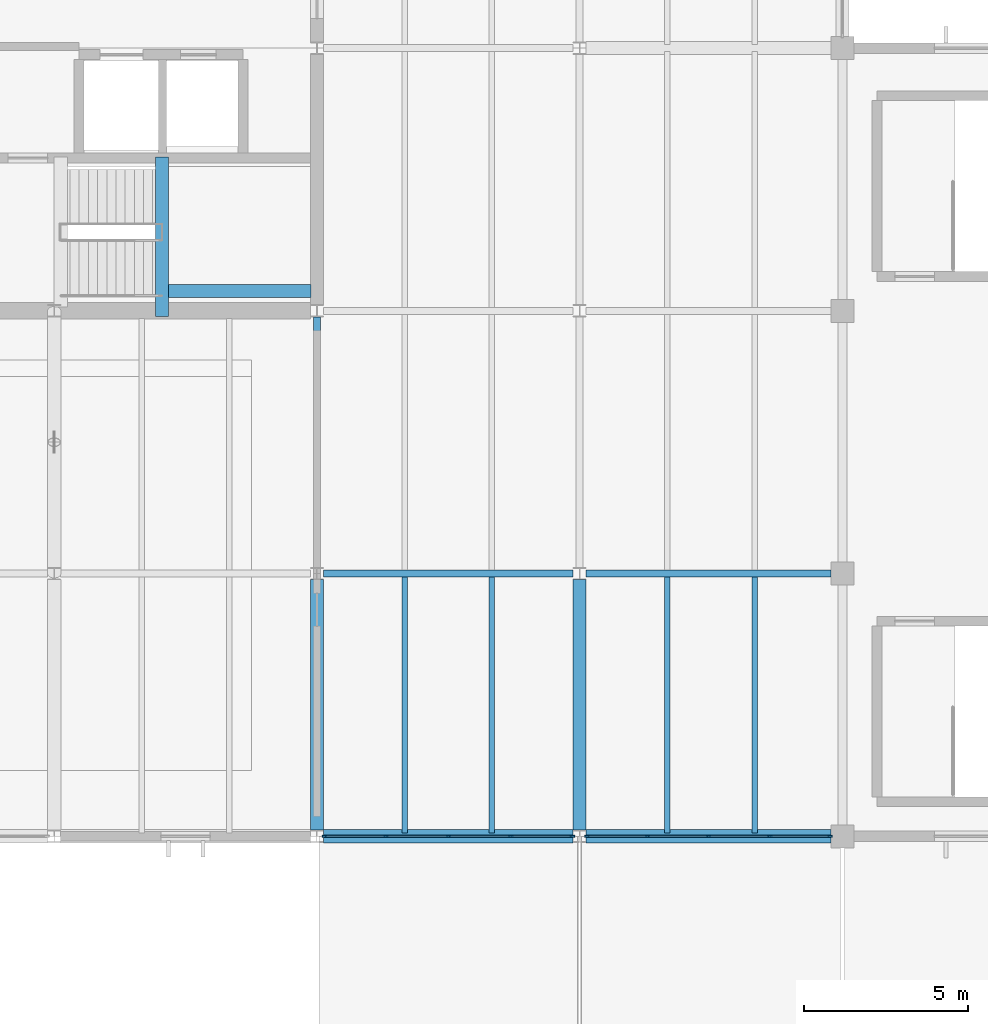
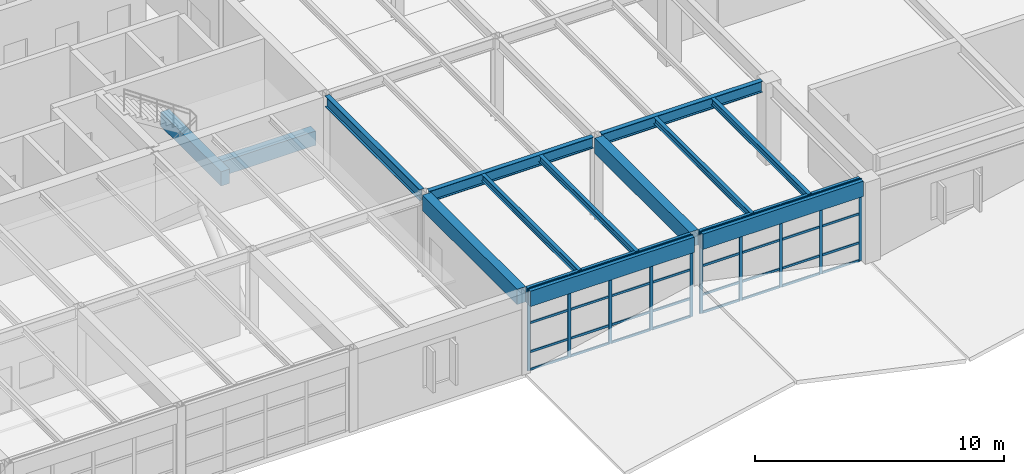
# One storey, part 10 of 48: 42 members, 13 beams, 2 elements without a shape of their own.
"""IFC4 building model written with IfcOpenShell, lengths in metres."""

from ifc_helpers import new_model, si_unit, direction, frame, origin, origin_2d, place, context, subcontext, project, spatial, rectangle, i_section, extrude, material, layer, layer_set, material_profile, profile_set, type_object, element, aggregate, save


model = new_model("IFC4")

# Units and contexts
model_context = context("Model", 3, precision=1e-05, world=origin(), true_north=direction((0.0, 1.0)))
body_context = subcontext(model_context, "Body", "Model", "MODEL_VIEW")
ifc_project = project(units=[si_unit("LENGTHUNIT", "METRE"), si_unit("AREAUNIT", "SQUARE_METRE"), si_unit("VOLUMEUNIT", "CUBIC_METRE"), si_unit("PLANEANGLEUNIT", "RADIAN"), si_unit("MASSUNIT", "GRAM", prefix="KILO")], contexts=[model_context])

# Site, building, storey
site_placement = place(None, origin())
site = spatial("IfcSite", under=ifc_project, at=site_placement, CompositionType="ELEMENT")
building_placement = place(site_placement, origin())
building = spatial("IfcBuilding", under=site, at=building_placement, Name="Varnela Railside Interchange", CompositionType="ELEMENT")
storey_placement = place(building_placement, frame((0.0, 0.0, 11.199951171875)))
storey = spatial("IfcBuildingStorey", under=building, at=storey_placement, Name="L02", CompositionType="ELEMENT", Elevation=11.199951171875)

# Beams
ifc_material_1 = material(Name="Steel AR 350 (350 MPa)", Category="steel")
ifc_material_profile_1 = material_profile(ifc_material_1, i_section(OverallWidth=0.2109375, OverallDepth=0.5390625, WebThickness=0.01171875, FlangeThickness=0.018798828125, at=origin_2d()), Name="W530x109")
ifc_profile_set_1 = profile_set([ifc_material_profile_1], Name="Steel AR 350 (350 MPa)")
beam_type_1 = type_object("IfcBeamType", Name="Composite Girder B-17", PredefinedType="BEAM", material=ifc_profile_set_1)
beam_1_placement = place(storey_placement, frame((36.0, 46.1875, 3.73046875), z_axis=(0.0, 1.0, 0.0), x_axis=(-1.0, 0.0, 0.0)))
element("IfcBeam", 1, at=beam_1_placement, inside=storey, type_object=beam_type_1, Name="Composite Girder B-17 (L02) (BM-2079)", PredefinedType="BEAM", context=body_context, shape_type="SweptSolid", body=[
    extrude(i_section(OverallWidth=0.2109375, OverallDepth=0.5390625, WebThickness=0.01171875, FlangeThickness=0.018798828125, at=origin_2d()), origin(), (0.0, 0.0, 1.0), 7.618896484375),
])
ifc_material_profile_2 = material_profile(ifc_material_1, i_section(OverallWidth=0.2119140625, OverallDepth=0.5439453125, WebThickness=0.01318359375, FlangeThickness=0.021240234375, at=origin_2d()), Name="W530x123")
ifc_profile_set_2 = profile_set([ifc_material_profile_2], Name="Steel AR 350 (350 MPa)")
beam_type_2 = type_object("IfcBeamType", Name="Composite Heavy Girder B-16", PredefinedType="BEAM", material=ifc_profile_set_2)
beam_2_placement = place(storey_placement, frame((36.197021484375, 46.0, 3.72802734375), z_axis=(1.0, 0.0, 0.0), x_axis=(0.0, 1.0, 0.0)))
element("IfcBeam", 2, at=beam_2_placement, inside=storey, type_object=beam_type_2, Name="Composite Heavy Girder B-16 (L02) (BM-1961)", PredefinedType="BEAM", context=body_context, shape_type="SweptSolid", body=[
    extrude(i_section(OverallWidth=0.2119140625, OverallDepth=0.5439453125, WebThickness=0.01318359375, FlangeThickness=0.021240234375, at=origin_2d()), origin(), (0.0, 0.0, 1.0), 7.60595703125),
])
beam_3_placement = place(storey_placement, frame((44.197021484375, 46.0, 3.72802734375), z_axis=(1.0, 0.0, 0.0), x_axis=(0.0, 1.0, 0.0)))
element("IfcBeam", 3, at=beam_3_placement, inside=storey, type_object=beam_type_2, Name="Composite Heavy Girder B-16 (L02) (BM-1962)", PredefinedType="BEAM", context=body_context, shape_type="SweptSolid", body=[
    extrude(i_section(OverallWidth=0.2119140625, OverallDepth=0.5439453125, WebThickness=0.01318359375, FlangeThickness=0.021240234375, at=origin_2d()), origin(), (0.0, 0.0, 1.0), 7.452880859375),
])
ifc_material_profile_3 = material_profile(ifc_material_1, i_section(OverallWidth=0.1669921875, OverallDepth=0.31689453125, WebThickness=0.007568359375, FlangeThickness=0.01318359375, at=origin_2d()), Name="W310x52")
ifc_profile_set_3 = profile_set([ifc_material_profile_3], Name="Steel AR 350 (350 MPa)")
beam_type_3 = type_object("IfcBeamType", Name="Composite Long-Span Joist J-03", PredefinedType="JOIST", material=ifc_profile_set_3)
for number, where, z_axis, x_axis, name in (
    (4, (38.669921875, 38.10595703125, 3.841552734375), (0.0, 1.0, 0.0), (-1.0, 0.0, 0.0), "Composite Long-Span Joist J-03 (L02) (BM-1908)"),
    (5, (41.330078125, 38.10595703125, 3.841552734375), (0.0, 1.0, 0.0), (-1.0, 0.0, 0.0), "Composite Long-Span Joist J-03 (L02) (BM-1909)"),
    (6, (46.669921875, 38.10595703125, 3.841552734375), (0.0, 1.0, 0.0), (-1.0, 0.0, 0.0), "Composite Long-Span Joist J-03 (L02) (BM-1921)"),
    (7, (49.330078125, 38.10595703125, 3.841552734375), (0.0, 1.0, 0.0), (-1.0, 0.0, 0.0), "Composite Long-Span Joist J-03 (L02) (BM-1922)"),
):
    element("IfcBeam", number, at=place(storey_placement, frame(where, z_axis=z_axis, x_axis=x_axis)), inside=storey, type_object=beam_type_3, Name=name, PredefinedType="JOIST", context=body_context, shape_type="SweptSolid", body=[
        extrude(i_section(OverallWidth=0.1669921875, OverallDepth=0.31689453125, WebThickness=0.007568359375, FlangeThickness=0.01318359375, at=origin_2d()), origin(), (0.0, 0.0, 1.0), 7.7880859375),
    ])
ifc_material_2 = material(Name="Concrete C40", Category="concrete")
ifc_material_profile_4 = material_profile(ifc_material_2, rectangle(XDim=0.39990234375, YDim=0.699951171875, at=origin_2d()), Name="RC 400x700")
ifc_profile_set_4 = profile_set([ifc_material_profile_4], Name="Concrete C40")
beam_type_4 = type_object("IfcBeamType", Name="Concrete Tie Beam B-01", PredefinedType="BEAM", material=ifc_profile_set_4)
beam_4_placement = place(storey_placement, frame((31.280029296875, 53.820068359375, 1.590087890625), z_axis=(0.0, 1.0, 0.0), x_axis=(-1.0, 0.0, 0.0)))
element("IfcBeam", 8, at=beam_4_placement, inside=storey, type_object=beam_type_4, Name="Concrete Tie Beam B-01 (L02) (BM-2109)", PredefinedType="BEAM", context=body_context, shape_type="SweptSolid", body=[
    extrude(rectangle(XDim=0.39990234375, YDim=0.699951171875, at=origin_2d()), origin(), (0.0, 0.0, 1.0), 4.85986328125),
])
beam_5_placement = place(storey_placement, frame((31.47998046875, 54.60009765625, 1.590087890625), z_axis=(1.0, 0.0, 0.0), x_axis=(0.0, 1.0, 0.0)))
element("IfcBeam", 9, at=beam_5_placement, inside=storey, type_object=beam_type_4, Name="Concrete Tie Beam B-01 (L02) (BM-2103)", PredefinedType="BEAM", context=body_context, shape_type="SweptSolid", body=[
    extrude(rectangle(XDim=0.39990234375, YDim=0.699951171875, at=origin_2d()), origin(), (0.0, 0.0, 1.0), 4.340087890625),
])

# Curtain wall, members
ifc_material_3 = material(Name="Aluminium 6063-T6", Category="aluminium")
ifc_layer = layer(ifc_material_3, 0.035888671875)
ifc_layer_set = layer_set([ifc_layer], Name="Aluminium 6063-T6")
curtain_wall_type = type_object("IfcCurtainWallType", Name="Operations Wing Facade Curtain Wall CW-03", PredefinedType="USERDEFINED", material=ifc_layer_set)
curtain_wall_1_placement = place(storey_placement, origin())
curtain_wall_1 = element("IfcCurtainWall", 10, at=curtain_wall_1_placement, inside=storey, type_object=curtain_wall_type, Name="Curtain Wall CW-03 (L02) (CW-068)", ObjectType="CURTAIN WALL", PredefinedType="USERDEFINED")
ifc_material_profile_5 = material_profile(ifc_material_3, rectangle(XDim=0.06005859375, YDim=0.139892578125, at=origin_2d()), Name="ALU 60x140")
ifc_profile_set_5 = profile_set([ifc_material_profile_5], Name="Aluminium 6063-T6")
member_type_1 = type_object("IfcMemberType", Name="Curtain Wall Mullion ML-01", PredefinedType="MULLION", material=ifc_profile_set_5)
member_1_placement = place(storey_placement, frame((51.6201171875, 38.0, 0.0), z_axis=(0.0, 0.0, 1.0), x_axis=(0.0, -1.0, 0.0)))
member_1 = element("IfcMember", 11, at=member_1_placement, type_object=member_type_1, Name="CW-03 mullion 1", PredefinedType="MULLION", context=body_context, shape_type="SweptSolid", body=[
    extrude(rectangle(XDim=0.06005859375, YDim=0.139892578125, at=origin_2d()), origin(), (0.0, 0.0, 1.0), 4.0),
])
member_2_placement = place(storey_placement, frame((49.786865234375, 38.0, 0.0), z_axis=(0.0, 0.0, 1.0), x_axis=(0.0, -1.0, 0.0)))
member_2 = element("IfcMember", 12, at=member_2_placement, type_object=member_type_1, Name="CW-03 mullion 2", PredefinedType="MULLION", context=body_context, shape_type="SweptSolid", body=[
    extrude(rectangle(XDim=0.06005859375, YDim=0.139892578125, at=origin_2d()), origin(), (0.0, 0.0, 1.0), 4.0),
])
member_3_placement = place(storey_placement, frame((47.923583984375, 38.0, 0.0), z_axis=(0.0, 0.0, 1.0), x_axis=(0.0, -1.0, 0.0)))
member_3 = element("IfcMember", 13, at=member_3_placement, type_object=member_type_1, Name="CW-03 mullion 3", PredefinedType="MULLION", context=body_context, shape_type="SweptSolid", body=[
    extrude(rectangle(XDim=0.06005859375, YDim=0.139892578125, at=origin_2d()), origin(), (0.0, 0.0, 1.0), 4.0),
])
member_4_placement = place(storey_placement, frame((46.060302734375, 38.0, 0.0), z_axis=(0.0, 0.0, 1.0), x_axis=(0.0, -1.0, 0.0)))
member_4 = element("IfcMember", 14, at=member_4_placement, type_object=member_type_1, Name="CW-03 mullion 4", PredefinedType="MULLION", context=body_context, shape_type="SweptSolid", body=[
    extrude(rectangle(XDim=0.06005859375, YDim=0.139892578125, at=origin_2d()), origin(), (0.0, 0.0, 1.0), 4.0),
])
member_5_placement = place(storey_placement, frame((44.22705078125, 38.0, 0.0), z_axis=(0.0, 0.0, 1.0), x_axis=(0.0, -1.0, 0.0)))
member_5 = element("IfcMember", 15, at=member_5_placement, type_object=member_type_1, Name="CW-03 mullion 5", PredefinedType="MULLION", context=body_context, shape_type="SweptSolid", body=[
    extrude(rectangle(XDim=0.06005859375, YDim=0.139892578125, at=origin_2d()), origin(), (0.0, 0.0, 1.0), 4.0),
])

curtain_wall_2_placement = place(storey_placement, origin())
curtain_wall_2 = element("IfcCurtainWall", 16, at=curtain_wall_2_placement, inside=storey, type_object=curtain_wall_type, Name="Curtain Wall CW-03 (L02) (CW-069)", ObjectType="CURTAIN WALL", PredefinedType="USERDEFINED")
member_6_placement = place(storey_placement, frame((43.77294921875, 38.0, 0.0), z_axis=(0.0, 0.0, 1.0), x_axis=(0.0, -1.0, 0.0)))
member_6 = element("IfcMember", 17, at=member_6_placement, type_object=member_type_1, Name="CW-03 mullion 1", PredefinedType="MULLION", context=body_context, shape_type="SweptSolid", body=[
    extrude(rectangle(XDim=0.06005859375, YDim=0.139892578125, at=origin_2d()), origin(), (0.0, 0.0, 1.0), 4.0),
])
member_7_placement = place(storey_placement, frame((41.901611328125, 38.0, 0.0), z_axis=(0.0, 0.0, 1.0), x_axis=(0.0, -1.0, 0.0)))
member_7 = element("IfcMember", 18, at=member_7_placement, type_object=member_type_1, Name="CW-03 mullion 2", PredefinedType="MULLION", context=body_context, shape_type="SweptSolid", body=[
    extrude(rectangle(XDim=0.06005859375, YDim=0.139892578125, at=origin_2d()), origin(), (0.0, 0.0, 1.0), 4.0),
])
member_8_placement = place(storey_placement, frame((40.0, 38.0, 0.0), z_axis=(0.0, 0.0, 1.0), x_axis=(0.0, -1.0, 0.0)))
member_8 = element("IfcMember", 19, at=member_8_placement, type_object=member_type_1, Name="CW-03 mullion 3", PredefinedType="MULLION", context=body_context, shape_type="SweptSolid", body=[
    extrude(rectangle(XDim=0.06005859375, YDim=0.139892578125, at=origin_2d()), origin(), (0.0, 0.0, 1.0), 4.0),
])
member_9_placement = place(storey_placement, frame((38.098388671875, 38.0, 0.0), z_axis=(0.0, 0.0, 1.0), x_axis=(0.0, -1.0, 0.0)))
member_9 = element("IfcMember", 20, at=member_9_placement, type_object=member_type_1, Name="CW-03 mullion 4", PredefinedType="MULLION", context=body_context, shape_type="SweptSolid", body=[
    extrude(rectangle(XDim=0.06005859375, YDim=0.139892578125, at=origin_2d()), origin(), (0.0, 0.0, 1.0), 4.0),
])
member_10_placement = place(storey_placement, frame((36.22705078125, 38.0, 0.0), z_axis=(0.0, 0.0, 1.0), x_axis=(0.0, -1.0, 0.0)))
member_10 = element("IfcMember", 21, at=member_10_placement, type_object=member_type_1, Name="CW-03 mullion 5", PredefinedType="MULLION", context=body_context, shape_type="SweptSolid", body=[
    extrude(rectangle(XDim=0.06005859375, YDim=0.139892578125, at=origin_2d()), origin(), (0.0, 0.0, 1.0), 4.0),
])

# Member
ifc_material_profile_6 = material_profile(ifc_material_3, rectangle(XDim=0.06005859375, YDim=0.110107421875, at=origin_2d()), Name="ALU 60x110")
ifc_profile_set_6 = profile_set([ifc_material_profile_6], Name="Aluminium 6063-T6")
member_type_2 = type_object("IfcMemberType", Name="Curtain Wall Transom TR-01", PredefinedType="USERDEFINED", material=ifc_profile_set_6)
member_11_placement = place(storey_placement, frame((51.590087890625, 38.0, 0.030029296875), z_axis=(-1.0, 0.0, 0.0), x_axis=(0.0, -1.0, 0.0)))
member_11 = element("IfcMember", 22, at=member_11_placement, type_object=member_type_2, Name="CW-03 transom 1.1", ObjectType="TRANSOM", PredefinedType="USERDEFINED", context=body_context, shape_type="SweptSolid", body=[
    extrude(rectangle(XDim=0.06005859375, YDim=0.110107421875, at=origin_2d()), origin(), (0.0, 0.0, 1.0), 1.7734375),
])

member_12_placement = place(storey_placement, frame((51.590087890625, 38.0, 0.900146484375), z_axis=(-1.0, 0.0, 0.0), x_axis=(0.0, -1.0, 0.0)))
member_12 = element("IfcMember", 23, at=member_12_placement, type_object=member_type_2, Name="CW-03 transom 1.2", ObjectType="TRANSOM", PredefinedType="USERDEFINED", context=body_context, shape_type="SweptSolid", body=[
    extrude(rectangle(XDim=0.06005859375, YDim=0.110107421875, at=origin_2d()), origin(), (0.0, 0.0, 1.0), 1.7734375),
])

member_13_placement = place(storey_placement, frame((51.590087890625, 38.0, 2.320068359375), z_axis=(-1.0, 0.0, 0.0), x_axis=(0.0, -1.0, 0.0)))
member_13 = element("IfcMember", 24, at=member_13_placement, type_object=member_type_2, Name="CW-03 transom 1.3", ObjectType="TRANSOM", PredefinedType="USERDEFINED", context=body_context, shape_type="SweptSolid", body=[
    extrude(rectangle(XDim=0.06005859375, YDim=0.110107421875, at=origin_2d()), origin(), (0.0, 0.0, 1.0), 1.7734375),
])

member_14_placement = place(storey_placement, frame((51.590087890625, 38.0, 3.969970703125), z_axis=(-1.0, 0.0, 0.0), x_axis=(0.0, -1.0, 0.0)))
member_14 = element("IfcMember", 25, at=member_14_placement, type_object=member_type_2, Name="CW-03 transom 1.4", ObjectType="TRANSOM", PredefinedType="USERDEFINED", context=body_context, shape_type="SweptSolid", body=[
    extrude(rectangle(XDim=0.06005859375, YDim=0.110107421875, at=origin_2d()), origin(), (0.0, 0.0, 1.0), 1.7734375),
])

member_15_placement = place(storey_placement, frame((49.7568359375, 38.0, 0.030029296875), z_axis=(-1.0, 0.0, 0.0), x_axis=(0.0, -1.0, 0.0)))
member_15 = element("IfcMember", 26, at=member_15_placement, type_object=member_type_2, Name="CW-03 transom 2.1", ObjectType="TRANSOM", PredefinedType="USERDEFINED", context=body_context, shape_type="SweptSolid", body=[
    extrude(rectangle(XDim=0.06005859375, YDim=0.110107421875, at=origin_2d()), origin(), (0.0, 0.0, 1.0), 1.80322265625),
])

member_16_placement = place(storey_placement, frame((49.7568359375, 38.0, 0.900146484375), z_axis=(-1.0, 0.0, 0.0), x_axis=(0.0, -1.0, 0.0)))
member_16 = element("IfcMember", 27, at=member_16_placement, type_object=member_type_2, Name="CW-03 transom 2.2", ObjectType="TRANSOM", PredefinedType="USERDEFINED", context=body_context, shape_type="SweptSolid", body=[
    extrude(rectangle(XDim=0.06005859375, YDim=0.110107421875, at=origin_2d()), origin(), (0.0, 0.0, 1.0), 1.80322265625),
])

member_17_placement = place(storey_placement, frame((49.7568359375, 38.0, 2.320068359375), z_axis=(-1.0, 0.0, 0.0), x_axis=(0.0, -1.0, 0.0)))
member_17 = element("IfcMember", 28, at=member_17_placement, type_object=member_type_2, Name="CW-03 transom 2.3", ObjectType="TRANSOM", PredefinedType="USERDEFINED", context=body_context, shape_type="SweptSolid", body=[
    extrude(rectangle(XDim=0.06005859375, YDim=0.110107421875, at=origin_2d()), origin(), (0.0, 0.0, 1.0), 1.80322265625),
])

member_18_placement = place(storey_placement, frame((49.7568359375, 38.0, 3.969970703125), z_axis=(-1.0, 0.0, 0.0), x_axis=(0.0, -1.0, 0.0)))
member_18 = element("IfcMember", 29, at=member_18_placement, type_object=member_type_2, Name="CW-03 transom 2.4", ObjectType="TRANSOM", PredefinedType="USERDEFINED", context=body_context, shape_type="SweptSolid", body=[
    extrude(rectangle(XDim=0.06005859375, YDim=0.110107421875, at=origin_2d()), origin(), (0.0, 0.0, 1.0), 1.80322265625),
])

member_19_placement = place(storey_placement, frame((47.8935546875, 38.0, 0.030029296875), z_axis=(-1.0, 0.0, 0.0), x_axis=(0.0, -1.0, 0.0)))
member_19 = element("IfcMember", 30, at=member_19_placement, type_object=member_type_2, Name="CW-03 transom 3.1", ObjectType="TRANSOM", PredefinedType="USERDEFINED", context=body_context, shape_type="SweptSolid", body=[
    extrude(rectangle(XDim=0.06005859375, YDim=0.110107421875, at=origin_2d()), origin(), (0.0, 0.0, 1.0), 1.80322265625),
])

member_20_placement = place(storey_placement, frame((47.8935546875, 38.0, 0.900146484375), z_axis=(-1.0, 0.0, 0.0), x_axis=(0.0, -1.0, 0.0)))
member_20 = element("IfcMember", 31, at=member_20_placement, type_object=member_type_2, Name="CW-03 transom 3.2", ObjectType="TRANSOM", PredefinedType="USERDEFINED", context=body_context, shape_type="SweptSolid", body=[
    extrude(rectangle(XDim=0.06005859375, YDim=0.110107421875, at=origin_2d()), origin(), (0.0, 0.0, 1.0), 1.80322265625),
])

member_21_placement = place(storey_placement, frame((47.8935546875, 38.0, 2.320068359375), z_axis=(-1.0, 0.0, 0.0), x_axis=(0.0, -1.0, 0.0)))
member_21 = element("IfcMember", 32, at=member_21_placement, type_object=member_type_2, Name="CW-03 transom 3.3", ObjectType="TRANSOM", PredefinedType="USERDEFINED", context=body_context, shape_type="SweptSolid", body=[
    extrude(rectangle(XDim=0.06005859375, YDim=0.110107421875, at=origin_2d()), origin(), (0.0, 0.0, 1.0), 1.80322265625),
])

member_22_placement = place(storey_placement, frame((47.8935546875, 38.0, 3.969970703125), z_axis=(-1.0, 0.0, 0.0), x_axis=(0.0, -1.0, 0.0)))
member_22 = element("IfcMember", 33, at=member_22_placement, type_object=member_type_2, Name="CW-03 transom 3.4", ObjectType="TRANSOM", PredefinedType="USERDEFINED", context=body_context, shape_type="SweptSolid", body=[
    extrude(rectangle(XDim=0.06005859375, YDim=0.110107421875, at=origin_2d()), origin(), (0.0, 0.0, 1.0), 1.80322265625),
])

member_23_placement = place(storey_placement, frame((46.0302734375, 38.0, 0.030029296875), z_axis=(-1.0, 0.0, 0.0), x_axis=(0.0, -1.0, 0.0)))
member_23 = element("IfcMember", 34, at=member_23_placement, type_object=member_type_2, Name="CW-03 transom 4.1", ObjectType="TRANSOM", PredefinedType="USERDEFINED", context=body_context, shape_type="SweptSolid", body=[
    extrude(rectangle(XDim=0.06005859375, YDim=0.110107421875, at=origin_2d()), origin(), (0.0, 0.0, 1.0), 1.773193359375),
])

member_24_placement = place(storey_placement, frame((46.0302734375, 38.0, 0.900146484375), z_axis=(-1.0, 0.0, 0.0), x_axis=(0.0, -1.0, 0.0)))
member_24 = element("IfcMember", 35, at=member_24_placement, type_object=member_type_2, Name="CW-03 transom 4.2", ObjectType="TRANSOM", PredefinedType="USERDEFINED", context=body_context, shape_type="SweptSolid", body=[
    extrude(rectangle(XDim=0.06005859375, YDim=0.110107421875, at=origin_2d()), origin(), (0.0, 0.0, 1.0), 1.773193359375),
])

member_25_placement = place(storey_placement, frame((46.0302734375, 38.0, 2.320068359375), z_axis=(-1.0, 0.0, 0.0), x_axis=(0.0, -1.0, 0.0)))
member_25 = element("IfcMember", 36, at=member_25_placement, type_object=member_type_2, Name="CW-03 transom 4.3", ObjectType="TRANSOM", PredefinedType="USERDEFINED", context=body_context, shape_type="SweptSolid", body=[
    extrude(rectangle(XDim=0.06005859375, YDim=0.110107421875, at=origin_2d()), origin(), (0.0, 0.0, 1.0), 1.773193359375),
])

member_26_placement = place(storey_placement, frame((46.0302734375, 38.0, 3.969970703125), z_axis=(-1.0, 0.0, 0.0), x_axis=(0.0, -1.0, 0.0)))
member_26 = element("IfcMember", 37, at=member_26_placement, type_object=member_type_2, Name="CW-03 transom 4.4", ObjectType="TRANSOM", PredefinedType="USERDEFINED", context=body_context, shape_type="SweptSolid", body=[
    extrude(rectangle(XDim=0.06005859375, YDim=0.110107421875, at=origin_2d()), origin(), (0.0, 0.0, 1.0), 1.773193359375),
])

aggregate(curtain_wall_1, [member_1, member_2, member_3, member_4, member_5, member_11, member_12, member_13, member_14, member_15, member_16, member_17, member_18, member_19, member_20, member_21, member_22, member_23, member_24, member_25, member_26])

member_27_placement = place(storey_placement, frame((43.742919921875, 38.0, 0.030029296875), z_axis=(-1.0, 0.0, 0.0), x_axis=(0.0, -1.0, 0.0)))
member_27 = element("IfcMember", 38, at=member_27_placement, type_object=member_type_2, Name="CW-03 transom 1.1", ObjectType="TRANSOM", PredefinedType="USERDEFINED", context=body_context, shape_type="SweptSolid", body=[
    extrude(rectangle(XDim=0.06005859375, YDim=0.110107421875, at=origin_2d()), origin(), (0.0, 0.0, 1.0), 1.8115234375),
])

member_28_placement = place(storey_placement, frame((43.742919921875, 38.0, 0.900146484375), z_axis=(-1.0, 0.0, 0.0), x_axis=(0.0, -1.0, 0.0)))
member_28 = element("IfcMember", 39, at=member_28_placement, type_object=member_type_2, Name="CW-03 transom 1.2", ObjectType="TRANSOM", PredefinedType="USERDEFINED", context=body_context, shape_type="SweptSolid", body=[
    extrude(rectangle(XDim=0.06005859375, YDim=0.110107421875, at=origin_2d()), origin(), (0.0, 0.0, 1.0), 1.8115234375),
])

member_29_placement = place(storey_placement, frame((43.742919921875, 38.0, 2.320068359375), z_axis=(-1.0, 0.0, 0.0), x_axis=(0.0, -1.0, 0.0)))
member_29 = element("IfcMember", 40, at=member_29_placement, type_object=member_type_2, Name="CW-03 transom 1.3", ObjectType="TRANSOM", PredefinedType="USERDEFINED", context=body_context, shape_type="SweptSolid", body=[
    extrude(rectangle(XDim=0.06005859375, YDim=0.110107421875, at=origin_2d()), origin(), (0.0, 0.0, 1.0), 1.8115234375),
])

member_30_placement = place(storey_placement, frame((43.742919921875, 38.0, 3.969970703125), z_axis=(-1.0, 0.0, 0.0), x_axis=(0.0, -1.0, 0.0)))
member_30 = element("IfcMember", 41, at=member_30_placement, type_object=member_type_2, Name="CW-03 transom 1.4", ObjectType="TRANSOM", PredefinedType="USERDEFINED", context=body_context, shape_type="SweptSolid", body=[
    extrude(rectangle(XDim=0.06005859375, YDim=0.110107421875, at=origin_2d()), origin(), (0.0, 0.0, 1.0), 1.8115234375),
])

member_31_placement = place(storey_placement, frame((41.87158203125, 38.0, 0.030029296875), z_axis=(-1.0, 0.0, 0.0), x_axis=(0.0, -1.0, 0.0)))
member_31 = element("IfcMember", 42, at=member_31_placement, type_object=member_type_2, Name="CW-03 transom 2.1", ObjectType="TRANSOM", PredefinedType="USERDEFINED", context=body_context, shape_type="SweptSolid", body=[
    extrude(rectangle(XDim=0.06005859375, YDim=0.110107421875, at=origin_2d()), origin(), (0.0, 0.0, 1.0), 1.841552734375),
])

member_32_placement = place(storey_placement, frame((41.87158203125, 38.0, 0.900146484375), z_axis=(-1.0, 0.0, 0.0), x_axis=(0.0, -1.0, 0.0)))
member_32 = element("IfcMember", 43, at=member_32_placement, type_object=member_type_2, Name="CW-03 transom 2.2", ObjectType="TRANSOM", PredefinedType="USERDEFINED", context=body_context, shape_type="SweptSolid", body=[
    extrude(rectangle(XDim=0.06005859375, YDim=0.110107421875, at=origin_2d()), origin(), (0.0, 0.0, 1.0), 1.841552734375),
])

member_33_placement = place(storey_placement, frame((41.87158203125, 38.0, 2.320068359375), z_axis=(-1.0, 0.0, 0.0), x_axis=(0.0, -1.0, 0.0)))
member_33 = element("IfcMember", 44, at=member_33_placement, type_object=member_type_2, Name="CW-03 transom 2.3", ObjectType="TRANSOM", PredefinedType="USERDEFINED", context=body_context, shape_type="SweptSolid", body=[
    extrude(rectangle(XDim=0.06005859375, YDim=0.110107421875, at=origin_2d()), origin(), (0.0, 0.0, 1.0), 1.841552734375),
])

member_34_placement = place(storey_placement, frame((41.87158203125, 38.0, 3.969970703125), z_axis=(-1.0, 0.0, 0.0), x_axis=(0.0, -1.0, 0.0)))
member_34 = element("IfcMember", 45, at=member_34_placement, type_object=member_type_2, Name="CW-03 transom 2.4", ObjectType="TRANSOM", PredefinedType="USERDEFINED", context=body_context, shape_type="SweptSolid", body=[
    extrude(rectangle(XDim=0.06005859375, YDim=0.110107421875, at=origin_2d()), origin(), (0.0, 0.0, 1.0), 1.841552734375),
])

member_35_placement = place(storey_placement, frame((39.969970703125, 38.0, 0.030029296875), z_axis=(-1.0, 0.0, 0.0), x_axis=(0.0, -1.0, 0.0)))
member_35 = element("IfcMember", 46, at=member_35_placement, type_object=member_type_2, Name="CW-03 transom 3.1", ObjectType="TRANSOM", PredefinedType="USERDEFINED", context=body_context, shape_type="SweptSolid", body=[
    extrude(rectangle(XDim=0.06005859375, YDim=0.110107421875, at=origin_2d()), origin(), (0.0, 0.0, 1.0), 1.841552734375),
])

member_36_placement = place(storey_placement, frame((39.969970703125, 38.0, 0.900146484375), z_axis=(-1.0, 0.0, 0.0), x_axis=(0.0, -1.0, 0.0)))
member_36 = element("IfcMember", 47, at=member_36_placement, type_object=member_type_2, Name="CW-03 transom 3.2", ObjectType="TRANSOM", PredefinedType="USERDEFINED", context=body_context, shape_type="SweptSolid", body=[
    extrude(rectangle(XDim=0.06005859375, YDim=0.110107421875, at=origin_2d()), origin(), (0.0, 0.0, 1.0), 1.841552734375),
])

member_37_placement = place(storey_placement, frame((39.969970703125, 38.0, 2.320068359375), z_axis=(-1.0, 0.0, 0.0), x_axis=(0.0, -1.0, 0.0)))
member_37 = element("IfcMember", 48, at=member_37_placement, type_object=member_type_2, Name="CW-03 transom 3.3", ObjectType="TRANSOM", PredefinedType="USERDEFINED", context=body_context, shape_type="SweptSolid", body=[
    extrude(rectangle(XDim=0.06005859375, YDim=0.110107421875, at=origin_2d()), origin(), (0.0, 0.0, 1.0), 1.841552734375),
])

member_38_placement = place(storey_placement, frame((39.969970703125, 38.0, 3.969970703125), z_axis=(-1.0, 0.0, 0.0), x_axis=(0.0, -1.0, 0.0)))
member_38 = element("IfcMember", 49, at=member_38_placement, type_object=member_type_2, Name="CW-03 transom 3.4", ObjectType="TRANSOM", PredefinedType="USERDEFINED", context=body_context, shape_type="SweptSolid", body=[
    extrude(rectangle(XDim=0.06005859375, YDim=0.110107421875, at=origin_2d()), origin(), (0.0, 0.0, 1.0), 1.841552734375),
])

member_39_placement = place(storey_placement, frame((38.068603515625, 38.0, 0.030029296875), z_axis=(-1.0, 0.0, 0.0), x_axis=(0.0, -1.0, 0.0)))
member_39 = element("IfcMember", 50, at=member_39_placement, type_object=member_type_2, Name="CW-03 transom 4.1", ObjectType="TRANSOM", PredefinedType="USERDEFINED", context=body_context, shape_type="SweptSolid", body=[
    extrude(rectangle(XDim=0.06005859375, YDim=0.110107421875, at=origin_2d()), origin(), (0.0, 0.0, 1.0), 1.8115234375),
])

member_40_placement = place(storey_placement, frame((38.068603515625, 38.0, 0.900146484375), z_axis=(-1.0, 0.0, 0.0), x_axis=(0.0, -1.0, 0.0)))
member_40 = element("IfcMember", 51, at=member_40_placement, type_object=member_type_2, Name="CW-03 transom 4.2", ObjectType="TRANSOM", PredefinedType="USERDEFINED", context=body_context, shape_type="SweptSolid", body=[
    extrude(rectangle(XDim=0.06005859375, YDim=0.110107421875, at=origin_2d()), origin(), (0.0, 0.0, 1.0), 1.8115234375),
])

member_41_placement = place(storey_placement, frame((38.068603515625, 38.0, 2.320068359375), z_axis=(-1.0, 0.0, 0.0), x_axis=(0.0, -1.0, 0.0)))
member_41 = element("IfcMember", 52, at=member_41_placement, type_object=member_type_2, Name="CW-03 transom 4.3", ObjectType="TRANSOM", PredefinedType="USERDEFINED", context=body_context, shape_type="SweptSolid", body=[
    extrude(rectangle(XDim=0.06005859375, YDim=0.110107421875, at=origin_2d()), origin(), (0.0, 0.0, 1.0), 1.8115234375),
])

member_42_placement = place(storey_placement, frame((38.068603515625, 38.0, 3.969970703125), z_axis=(-1.0, 0.0, 0.0), x_axis=(0.0, -1.0, 0.0)))
member_42 = element("IfcMember", 53, at=member_42_placement, type_object=member_type_2, Name="CW-03 transom 4.4", ObjectType="TRANSOM", PredefinedType="USERDEFINED", context=body_context, shape_type="SweptSolid", body=[
    extrude(rectangle(XDim=0.06005859375, YDim=0.110107421875, at=origin_2d()), origin(), (0.0, 0.0, 1.0), 1.8115234375),
])

aggregate(curtain_wall_2, [member_6, member_7, member_8, member_9, member_10, member_27, member_28, member_29, member_30, member_31, member_32, member_33, member_34, member_35, member_36, member_37, member_38, member_39, member_40, member_41, member_42])

# Beams
ifc_material_4 = material(Name="Concrete C40 precast", Category="concrete")
ifc_material_profile_7 = material_profile(ifc_material_4, rectangle(XDim=0.39990234375, YDim=0.75, at=origin_2d()), Name="PC 400x750")
ifc_profile_set_7 = profile_set([ifc_material_profile_7], Name="Concrete C40 precast")
beam_type_5 = type_object("IfcBeamType", Name="Precast Facade Spandrel SP-03", PredefinedType="SPANDREL", material=ifc_profile_set_7)
beam_6_placement = place(storey_placement, frame((36.197021484375, 38.0, 3.625), z_axis=(1.0, 0.0, 0.0), x_axis=(0.0, 1.0, 0.0)))
element("IfcBeam", 54, at=beam_6_placement, inside=storey, type_object=beam_type_5, Name="Precast Facade Spandrel SP-03 (L02) (BM-1943)", PredefinedType="SPANDREL", context=body_context, shape_type="SweptSolid", body=[
    extrude(rectangle(XDim=0.39990234375, YDim=0.75, at=origin_2d()), origin(), (0.0, 0.0, 1.0), 7.60595703125),
])
beam_7_placement = place(storey_placement, frame((44.197021484375, 38.0, 3.625), z_axis=(1.0, 0.0, 0.0), x_axis=(0.0, 1.0, 0.0)))
element("IfcBeam", 55, at=beam_7_placement, inside=storey, type_object=beam_type_5, Name="Precast Facade Spandrel SP-03 (L02) (BM-1944)", PredefinedType="SPANDREL", context=body_context, shape_type="SweptSolid", body=[
    extrude(rectangle(XDim=0.39990234375, YDim=0.75, at=origin_2d()), origin(), (0.0, 0.0, 1.0), 7.452880859375),
])
for number, where, z_axis, x_axis, name in (
    (56, (36.0, 38.1875, 3.625), (0.0, 1.0, 0.0), (-1.0, 0.0, 0.0), "Precast Facade Spandrel SP-03 (L02) (BM-2078)"),
    (57, (44.0, 38.1875, 3.625), (0.0, 1.0, 0.0), (-1.0, 0.0, 0.0), "Precast Facade Spandrel SP-03 (L02) (BM-2083)"),
):
    element("IfcBeam", number, at=place(storey_placement, frame(where, z_axis=z_axis, x_axis=x_axis)), inside=storey, type_object=beam_type_5, Name=name, PredefinedType="SPANDREL", context=body_context, shape_type="SweptSolid", body=[
        extrude(rectangle(XDim=0.39990234375, YDim=0.75, at=origin_2d()), origin(), (0.0, 0.0, 1.0), 7.625),
    ])

save(model, "model.ifc")
